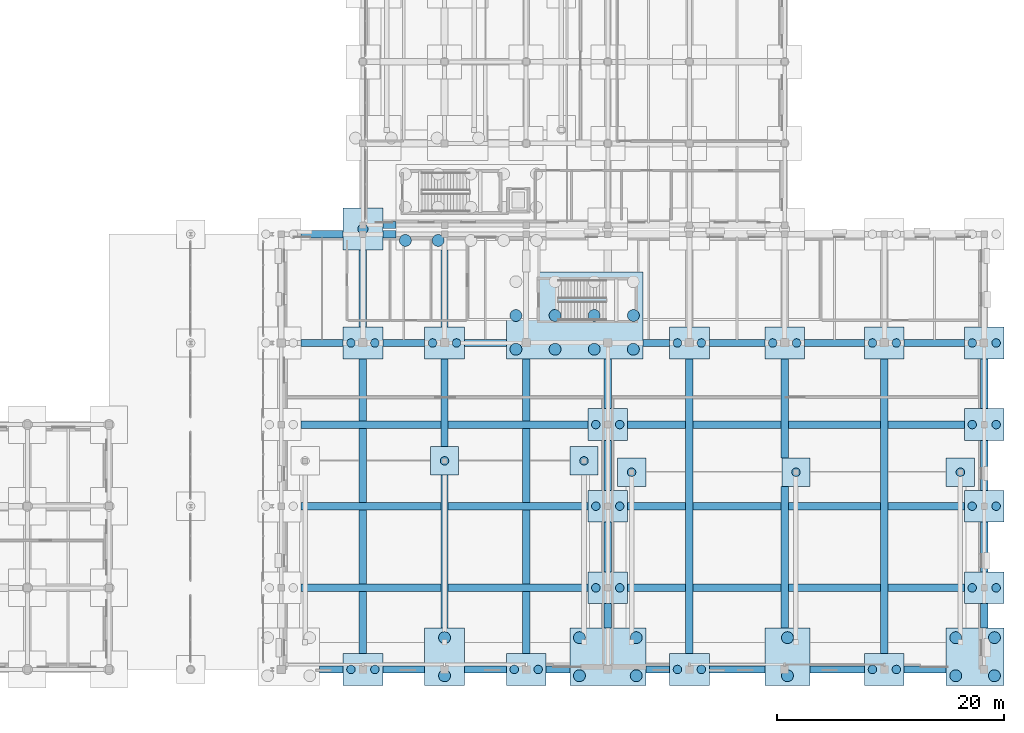
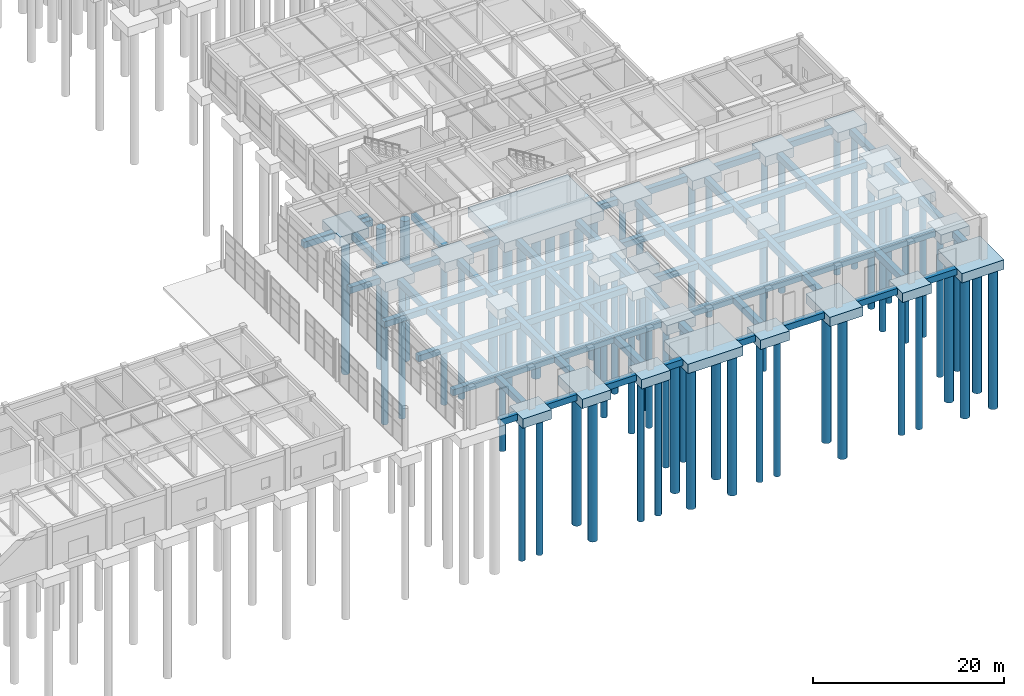
# One storey, part 5 of 91: 69 footings, 60 piles.
"""IFC4 building model written with IfcOpenShell, lengths in metres."""

from ifc_helpers import new_model, si_unit, direction, frame, origin, origin_2d, place, context, subcontext, project, spatial, rectangle, circle, extrude, material, material_profile, profile_set, type_object, element, save


model = new_model("IFC4")

# Units and contexts
model_context = context("Model", 3, precision=1e-05, world=origin(), true_north=direction((0.0, 1.0)))
body_context = subcontext(model_context, "Body", "Model", "MODEL_VIEW")
ifc_project = project(units=[si_unit("LENGTHUNIT", "METRE"), si_unit("AREAUNIT", "SQUARE_METRE"), si_unit("VOLUMEUNIT", "CUBIC_METRE"), si_unit("PLANEANGLEUNIT", "RADIAN"), si_unit("MASSUNIT", "GRAM", prefix="KILO")], contexts=[model_context])

# Site, building, storey
site_placement = place(None, origin())
site = spatial("IfcSite", under=ifc_project, at=site_placement, CompositionType="ELEMENT")
building_placement = place(site_placement, origin())
building = spatial("IfcBuilding", under=site, at=building_placement, Name="Bramveld Media Centre", CompositionType="ELEMENT")
storey_placement = place(building_placement, origin())
storey = spatial("IfcBuildingStorey", under=building, at=storey_placement, Name="L00", CompositionType="ELEMENT", Elevation=0.0)

# Footings
ifc_material_1 = material(Name="Concrete C35/45", Category="concrete")
footing_type_1 = type_object("IfcFootingType", Name="GB-600x800", PredefinedType="FOOTING_BEAM", material=ifc_material_1)
footing_1_placement = place(storey_placement, frame((133.52490234375, 39.199951171875, -0.7998046875), z_axis=(0.0, 0.0, 1.0), x_axis=(1.0, 0.0, 0.0)))
element("IfcFooting", 1, at=footing_1_placement, inside=storey, type_object=footing_type_1, Name="V4 ground beam X-160", PredefinedType="FOOTING_BEAM", context=body_context, shape_type="SweptSolid", body=[
    extrude(rectangle(XDim=1.14990234375, YDim=0.60009765625, at=origin_2d()), origin(), (0.0, 0.0, 1.0), 0.800048828125),
])
ifc_material_2 = material(Name="Concrete C35/45", Category="concrete")
footing_type_2 = type_object("IfcFootingType", Name="GB-650x800", PredefinedType="FOOTING_BEAM", material=ifc_material_2)
footing_2_placement = place(storey_placement, frame((128.39990234375, 0.0, -0.7998046875), z_axis=(0.0, 0.0, 1.0), x_axis=(1.0, 0.0, 0.0)))
element("IfcFooting", 2, at=footing_2_placement, inside=storey, type_object=footing_type_2, Name="V1 ground beam X-1", PredefinedType="FOOTING_BEAM", context=body_context, shape_type="SweptSolid", body=[
    extrude(rectangle(XDim=2.10009765625, YDim=0.64990234375, at=origin_2d()), origin(), (0.0, 0.0, 1.0), 0.800048828125),
])
for number, where, z_axis, x_axis, name in (
    (3, (134.800048828125, 0.0, -0.7998046875), (0.0, 0.0, 1.0), (1.0, 0.0, 0.0), "V1 ground beam X-2"),
    (4, (142.0, 0.0, -0.7998046875), (0.0, 0.0, 1.0), (1.0, 0.0, 0.0), "V1 ground beam X-3"),
):
    element("IfcFooting", number, at=place(storey_placement, frame(where, z_axis=z_axis, x_axis=x_axis)), inside=storey, type_object=footing_type_2, Name=name, PredefinedType="FOOTING_BEAM", context=body_context, shape_type="SweptSolid", body=[
        extrude(rectangle(XDim=3.699951171875, YDim=0.64990234375, at=origin_2d()), origin(), (0.0, 0.0, 1.0), 0.800048828125),
    ])
for number, where, z_axis, x_axis, name in (
    (5, (148.39990234375, 0.0, -0.7998046875), (0.0, 0.0, 1.0), (1.0, 0.0, 0.0), "V1 ground beam X-4"),
    (6, (157.199951171875, 0.0, -0.7998046875), (0.0, 0.0, 1.0), (1.0, 0.0, 0.0), "V1 ground beam X-5"),
):
    element("IfcFooting", number, at=place(storey_placement, frame(where, z_axis=z_axis, x_axis=x_axis)), inside=storey, type_object=footing_type_2, Name=name, PredefinedType="FOOTING_BEAM", context=body_context, shape_type="SweptSolid", body=[
        extrude(rectangle(XDim=2.10009765625, YDim=0.64990234375, at=origin_2d()), origin(), (0.0, 0.0, 1.0), 0.800048828125),
    ])
footing_3_placement = place(storey_placement, frame((164.199951171875, 0.0, -0.7998046875), z_axis=(0.0, 0.0, 1.0), x_axis=(1.0, 0.0, 0.0)))
element("IfcFooting", 7, at=footing_3_placement, inside=storey, type_object=footing_type_2, Name="V1 ground beam X-6", PredefinedType="FOOTING_BEAM", context=body_context, shape_type="SweptSolid", body=[
    extrude(rectangle(XDim=4.89990234375, YDim=0.64990234375, at=origin_2d()), origin(), (0.0, 0.0, 1.0), 0.800048828125),
])
footing_4_placement = place(storey_placement, frame((173.050048828125, 0.0, -0.7998046875), z_axis=(0.0, 0.0, 1.0), x_axis=(1.0, 0.0, 0.0)))
element("IfcFooting", 8, at=footing_4_placement, inside=storey, type_object=footing_type_2, Name="V1 ground beam X-7", PredefinedType="FOOTING_BEAM", context=body_context, shape_type="SweptSolid", body=[
    extrude(rectangle(XDim=4.800048828125, YDim=0.64990234375, at=origin_2d()), origin(), (0.0, 0.0, 1.0), 0.800048828125),
])
footing_5_placement = place(storey_placement, frame((180.800048828125, 0.0, -0.7998046875), z_axis=(0.0, 0.0, 1.0), x_axis=(1.0, 0.0, 0.0)))
element("IfcFooting", 9, at=footing_5_placement, inside=storey, type_object=footing_type_2, Name="V1 ground beam X-8", PredefinedType="FOOTING_BEAM", context=body_context, shape_type="SweptSolid", body=[
    extrude(rectangle(XDim=3.699951171875, YDim=0.64990234375, at=origin_2d()), origin(), (0.0, 0.0, 1.0), 0.800048828125),
])
footing_6_placement = place(storey_placement, frame((138.39990234375, 7.199951171875, -0.7998046875), z_axis=(0.0, 0.0, 1.0), x_axis=(1.0, 0.0, 0.0)))
element("IfcFooting", 10, at=footing_6_placement, inside=storey, type_object=footing_type_2, Name="V1 ground beam X-9", PredefinedType="FOOTING_BEAM", context=body_context, shape_type="SweptSolid", body=[
    extrude(rectangle(XDim=25.300048828125, YDim=0.64990234375, at=origin_2d()), origin(), (0.0, 0.0, 1.0), 0.800048828125),
])
footing_7_placement = place(storey_placement, frame((169.39990234375, 7.199951171875, -0.7998046875), z_axis=(0.0, 0.0, 1.0), x_axis=(1.0, 0.0, 0.0)))
element("IfcFooting", 11, at=footing_7_placement, inside=storey, type_object=footing_type_2, Name="V1 ground beam X-10", PredefinedType="FOOTING_BEAM", context=body_context, shape_type="SweptSolid", body=[
    extrude(rectangle(XDim=29.699951171875, YDim=0.64990234375, at=origin_2d()), origin(), (0.0, 0.0, 1.0), 0.800048828125),
])
footing_8_placement = place(storey_placement, frame((138.39990234375, 14.39990234375, -0.7998046875), z_axis=(0.0, 0.0, 1.0), x_axis=(1.0, 0.0, 0.0)))
element("IfcFooting", 12, at=footing_8_placement, inside=storey, type_object=footing_type_2, Name="V1 ground beam X-11", PredefinedType="FOOTING_BEAM", context=body_context, shape_type="SweptSolid", body=[
    extrude(rectangle(XDim=25.300048828125, YDim=0.64990234375, at=origin_2d()), origin(), (0.0, 0.0, 1.0), 0.800048828125),
])
footing_9_placement = place(storey_placement, frame((169.39990234375, 14.39990234375, -0.7998046875), z_axis=(0.0, 0.0, 1.0), x_axis=(1.0, 0.0, 0.0)))
element("IfcFooting", 13, at=footing_9_placement, inside=storey, type_object=footing_type_2, Name="V1 ground beam X-12", PredefinedType="FOOTING_BEAM", context=body_context, shape_type="SweptSolid", body=[
    extrude(rectangle(XDim=29.699951171875, YDim=0.64990234375, at=origin_2d()), origin(), (0.0, 0.0, 1.0), 0.800048828125),
])
footing_10_placement = place(storey_placement, frame((138.39990234375, 21.60009765625, -0.7998046875), z_axis=(0.0, 0.0, 1.0), x_axis=(1.0, 0.0, 0.0)))
element("IfcFooting", 14, at=footing_10_placement, inside=storey, type_object=footing_type_2, Name="V1 ground beam X-13", PredefinedType="FOOTING_BEAM", context=body_context, shape_type="SweptSolid", body=[
    extrude(rectangle(XDim=25.300048828125, YDim=0.64990234375, at=origin_2d()), origin(), (0.0, 0.0, 1.0), 0.800048828125),
])
footing_11_placement = place(storey_placement, frame((169.39990234375, 21.60009765625, -0.7998046875), z_axis=(0.0, 0.0, 1.0), x_axis=(1.0, 0.0, 0.0)))
element("IfcFooting", 15, at=footing_11_placement, inside=storey, type_object=footing_type_2, Name="V1 ground beam X-14", PredefinedType="FOOTING_BEAM", context=body_context, shape_type="SweptSolid", body=[
    extrude(rectangle(XDim=29.699951171875, YDim=0.64990234375, at=origin_2d()), origin(), (0.0, 0.0, 1.0), 0.800048828125),
])
for number, where, z_axis, x_axis, name in (
    (16, (127.60009765625, 28.800048828125, -0.7998046875), (0.0, 0.0, 1.0), (1.0, 0.0, 0.0), "V1 ground beam X-15"),
    (17, (134.800048828125, 28.800048828125, -0.7998046875), (0.0, 0.0, 1.0), (1.0, 0.0, 0.0), "V1 ground beam X-16"),
    (18, (142.0, 28.800048828125, -0.7998046875), (0.0, 0.0, 1.0), (1.0, 0.0, 0.0), "V1 ground beam X-17"),
):
    element("IfcFooting", number, at=place(storey_placement, frame(where, z_axis=z_axis, x_axis=x_axis)), inside=storey, type_object=footing_type_2, Name=name, PredefinedType="FOOTING_BEAM", context=body_context, shape_type="SweptSolid", body=[
        extrude(rectangle(XDim=3.699951171875, YDim=0.64990234375, at=origin_2d()), origin(), (0.0, 0.0, 1.0), 0.800048828125),
    ])
footing_12_placement = place(storey_placement, frame((157.074951171875, 28.800048828125, -0.7998046875), z_axis=(0.0, 0.0, 1.0), x_axis=(1.0, 0.0, 0.0)))
element("IfcFooting", 19, at=footing_12_placement, inside=storey, type_object=footing_type_2, Name="V1 ground beam X-18", PredefinedType="FOOTING_BEAM", context=body_context, shape_type="SweptSolid", body=[
    extrude(rectangle(XDim=2.35009765625, YDim=0.64990234375, at=origin_2d()), origin(), (0.0, 0.0, 1.0), 0.800048828125),
])
footing_13_placement = place(storey_placement, frame((164.199951171875, 28.800048828125, -0.7998046875), z_axis=(0.0, 0.0, 1.0), x_axis=(1.0, 0.0, 0.0)))
element("IfcFooting", 20, at=footing_13_placement, inside=storey, type_object=footing_type_2, Name="V1 ground beam X-19", PredefinedType="FOOTING_BEAM", context=body_context, shape_type="SweptSolid", body=[
    extrude(rectangle(XDim=4.89990234375, YDim=0.64990234375, at=origin_2d()), origin(), (0.0, 0.0, 1.0), 0.800048828125),
])
for number, where, z_axis, x_axis, name in (
    (21, (172.800048828125, 28.800048828125, -0.7998046875), (0.0, 0.0, 1.0), (1.0, 0.0, 0.0), "V1 ground beam X-20"),
    (22, (181.60009765625, 28.800048828125, -0.7998046875), (0.0, 0.0, 1.0), (1.0, 0.0, 0.0), "V1 ground beam X-21"),
):
    element("IfcFooting", number, at=place(storey_placement, frame(where, z_axis=z_axis, x_axis=x_axis)), inside=storey, type_object=footing_type_2, Name=name, PredefinedType="FOOTING_BEAM", context=body_context, shape_type="SweptSolid", body=[
        extrude(rectangle(XDim=5.300048828125, YDim=0.64990234375, at=origin_2d()), origin(), (0.0, 0.0, 1.0), 0.800048828125),
    ])
footing_14_placement = place(storey_placement, frame((127.60009765625, 38.39990234375, -0.7998046875), z_axis=(0.0, 0.0, 1.0), x_axis=(1.0, 0.0, 0.0)))
element("IfcFooting", 23, at=footing_14_placement, inside=storey, type_object=footing_type_2, Name="V1 ground beam X-22", PredefinedType="FOOTING_BEAM", context=body_context, shape_type="SweptSolid", body=[
    extrude(rectangle(XDim=3.699951171875, YDim=0.64990234375, at=origin_2d()), origin(), (0.0, 0.0, 1.0), 0.800048828125),
])
footing_15_placement = place(storey_placement, frame((133.52490234375, 38.39990234375, -0.7998046875), z_axis=(0.0, 0.0, 1.0), x_axis=(1.0, 0.0, 0.0)))
element("IfcFooting", 24, at=footing_15_placement, inside=storey, type_object=footing_type_2, Name="V1 ground beam X-23", PredefinedType="FOOTING_BEAM", context=body_context, shape_type="SweptSolid", body=[
    extrude(rectangle(XDim=1.14990234375, YDim=0.64990234375, at=origin_2d()), origin(), (0.0, 0.0, 1.0), 0.800048828125),
])
footing_16_placement = place(storey_placement, frame((131.199951171875, 14.39990234375, -0.7998046875), z_axis=(0.0, 0.0, 1.0), x_axis=(1.0, 0.0, 0.0)))
element("IfcFooting", 25, at=footing_16_placement, inside=storey, type_object=footing_type_2, Name="V1 ground beam Y-34", PredefinedType="FOOTING_BEAM", context=body_context, shape_type="SweptSolid", body=[
    extrude(rectangle(XDim=0.64990234375, YDim=26.0, at=origin_2d()), origin(), (0.0, 0.0, 1.0), 0.800048828125),
])
footing_17_placement = place(storey_placement, frame((131.199951171875, 33.60009765625, -0.7998046875), z_axis=(0.0, 0.0, 1.0), x_axis=(1.0, 0.0, 0.0)))
element("IfcFooting", 26, at=footing_17_placement, inside=storey, type_object=footing_type_2, Name="V1 ground beam Y-35", PredefinedType="FOOTING_BEAM", context=body_context, shape_type="SweptSolid", body=[
    extrude(rectangle(XDim=0.64990234375, YDim=6.800048828125, at=origin_2d()), origin(), (0.0, 0.0, 1.0), 0.800048828125),
])
footing_18_placement = place(storey_placement, frame((138.39990234375, 10.39990234375, -0.7998046875), z_axis=(0.0, 0.0, 1.0), x_axis=(1.0, 0.0, 0.0)))
element("IfcFooting", 27, at=footing_18_placement, inside=storey, type_object=footing_type_2, Name="V1 ground beam Y-36", PredefinedType="FOOTING_BEAM", context=body_context, shape_type="SweptSolid", body=[
    extrude(rectangle(XDim=0.64990234375, YDim=13.5, at=origin_2d()), origin(), (0.0, 0.0, 1.0), 0.800048828125),
])
footing_19_placement = place(storey_placement, frame((138.39990234375, 23.52490234375, -0.7998046875), z_axis=(0.0, 0.0, 1.0), x_axis=(1.0, 0.0, 0.0)))
element("IfcFooting", 28, at=footing_19_placement, inside=storey, type_object=footing_type_2, Name="V1 ground beam Y-37", PredefinedType="FOOTING_BEAM", context=body_context, shape_type="SweptSolid", body=[
    extrude(rectangle(XDim=0.64990234375, YDim=7.75, at=origin_2d()), origin(), (0.0, 0.0, 1.0), 0.800048828125),
])
footing_20_placement = place(storey_placement, frame((138.39990234375, 33.60009765625, -0.7998046875), z_axis=(0.0, 0.0, 1.0), x_axis=(1.0, 0.0, 0.0)))
element("IfcFooting", 29, at=footing_20_placement, inside=storey, type_object=footing_type_2, Name="V1 ground beam Y-38", PredefinedType="FOOTING_BEAM", context=body_context, shape_type="SweptSolid", body=[
    extrude(rectangle(XDim=0.64990234375, YDim=6.800048828125, at=origin_2d()), origin(), (0.0, 0.0, 1.0), 0.800048828125),
])
footing_21_placement = place(storey_placement, frame((145.60009765625, 14.39990234375, -0.7998046875), z_axis=(0.0, 0.0, 1.0), x_axis=(1.0, 0.0, 0.0)))
element("IfcFooting", 30, at=footing_21_placement, inside=storey, type_object=footing_type_2, Name="V1 ground beam Y-39", PredefinedType="FOOTING_BEAM", context=body_context, shape_type="SweptSolid", body=[
    extrude(rectangle(XDim=0.64990234375, YDim=26.0, at=origin_2d()), origin(), (0.0, 0.0, 1.0), 0.800048828125),
])
footing_22_placement = place(storey_placement, frame((152.800048828125, 4.72509765625, -0.7998046875), z_axis=(0.0, 0.0, 1.0), x_axis=(1.0, 0.0, 0.0)))
element("IfcFooting", 31, at=footing_22_placement, inside=storey, type_object=footing_type_2, Name="V1 ground beam Y-41", PredefinedType="FOOTING_BEAM", context=body_context, shape_type="SweptSolid", body=[
    extrude(rectangle(XDim=0.64990234375, YDim=2.14990234375, at=origin_2d()), origin(), (0.0, 0.0, 1.0), 0.800048828125),
])
for number, where, z_axis, x_axis, name in (
    (32, (152.800048828125, 10.800048828125, -0.7998046875), (0.0, 0.0, 1.0), (1.0, 0.0, 0.0), "V1 ground beam Y-42"),
    (33, (152.800048828125, 18.0, -0.7998046875), (0.0, 0.0, 1.0), (1.0, 0.0, 0.0), "V1 ground beam Y-43"),
    (34, (152.800048828125, 25.199951171875, -0.7998046875), (0.0, 0.0, 1.0), (1.0, 0.0, 0.0), "V1 ground beam Y-44"),
):
    element("IfcFooting", number, at=place(storey_placement, frame(where, z_axis=z_axis, x_axis=x_axis)), inside=storey, type_object=footing_type_2, Name=name, PredefinedType="FOOTING_BEAM", context=body_context, shape_type="SweptSolid", body=[
        extrude(rectangle(XDim=0.64990234375, YDim=4.39990234375, at=origin_2d()), origin(), (0.0, 0.0, 1.0), 0.800048828125),
    ])
footing_23_placement = place(storey_placement, frame((160.0, 14.39990234375, -0.7998046875), z_axis=(0.0, 0.0, 1.0), x_axis=(1.0, 0.0, 0.0)))
element("IfcFooting", 35, at=footing_23_placement, inside=storey, type_object=footing_type_2, Name="V1 ground beam Y-46", PredefinedType="FOOTING_BEAM", context=body_context, shape_type="SweptSolid", body=[
    extrude(rectangle(XDim=0.64990234375, YDim=26.0, at=origin_2d()), origin(), (0.0, 0.0, 1.0), 0.800048828125),
])
footing_24_placement = place(storey_placement, frame((168.39990234375, 9.89990234375, -0.7998046875), z_axis=(0.0, 0.0, 1.0), x_axis=(1.0, 0.0, 0.0)))
element("IfcFooting", 36, at=footing_24_placement, inside=storey, type_object=footing_type_2, Name="V1 ground beam Y-48", PredefinedType="FOOTING_BEAM", context=body_context, shape_type="SweptSolid", body=[
    extrude(rectangle(XDim=0.64990234375, YDim=12.5, at=origin_2d()), origin(), (0.0, 0.0, 1.0), 0.800048828125),
])
footing_25_placement = place(storey_placement, frame((168.39990234375, 23.02490234375, -0.7998046875), z_axis=(0.0, 0.0, 1.0), x_axis=(1.0, 0.0, 0.0)))
element("IfcFooting", 37, at=footing_25_placement, inside=storey, type_object=footing_type_2, Name="V1 ground beam Y-49", PredefinedType="FOOTING_BEAM", context=body_context, shape_type="SweptSolid", body=[
    extrude(rectangle(XDim=0.64990234375, YDim=8.75, at=origin_2d()), origin(), (0.0, 0.0, 1.0), 0.800048828125),
])
footing_26_placement = place(storey_placement, frame((177.199951171875, 14.39990234375, -0.7998046875), z_axis=(0.0, 0.0, 1.0), x_axis=(1.0, 0.0, 0.0)))
element("IfcFooting", 38, at=footing_26_placement, inside=storey, type_object=footing_type_2, Name="V1 ground beam Y-51", PredefinedType="FOOTING_BEAM", context=body_context, shape_type="SweptSolid", body=[
    extrude(rectangle(XDim=0.64990234375, YDim=26.0, at=origin_2d()), origin(), (0.0, 0.0, 1.0), 0.800048828125),
])
footing_27_placement = place(storey_placement, frame((186.0, 4.72509765625, -0.7998046875), z_axis=(0.0, 0.0, 1.0), x_axis=(1.0, 0.0, 0.0)))
element("IfcFooting", 39, at=footing_27_placement, inside=storey, type_object=footing_type_2, Name="V1 ground beam Y-53", PredefinedType="FOOTING_BEAM", context=body_context, shape_type="SweptSolid", body=[
    extrude(rectangle(XDim=0.64990234375, YDim=2.14990234375, at=origin_2d()), origin(), (0.0, 0.0, 1.0), 0.800048828125),
])
for number, where, z_axis, x_axis, name in (
    (40, (186.0, 10.800048828125, -0.7998046875), (0.0, 0.0, 1.0), (1.0, 0.0, 0.0), "V1 ground beam Y-54"),
    (41, (186.0, 18.0, -0.7998046875), (0.0, 0.0, 1.0), (1.0, 0.0, 0.0), "V1 ground beam Y-55"),
    (42, (186.0, 25.199951171875, -0.7998046875), (0.0, 0.0, 1.0), (1.0, 0.0, 0.0), "V1 ground beam Y-56"),
):
    element("IfcFooting", number, at=place(storey_placement, frame(where, z_axis=z_axis, x_axis=x_axis)), inside=storey, type_object=footing_type_2, Name=name, PredefinedType="FOOTING_BEAM", context=body_context, shape_type="SweptSolid", body=[
        extrude(rectangle(XDim=0.64990234375, YDim=4.39990234375, at=origin_2d()), origin(), (0.0, 0.0, 1.0), 0.800048828125),
    ])
ifc_material_3 = material(Name="Concrete C35/45", Category="concrete")
footing_type_3 = type_object("IfcFootingType", Name="PC-1205x765x1200", PredefinedType="PILE_CAP", material=ifc_material_3)
footing_28_placement = place(storey_placement, frame((149.875, 31.22509765625, -1.2001953125), z_axis=(0.0, 0.0, 1.0), x_axis=(1.0, 0.0, 0.0)))
element("IfcFooting", 43, at=footing_28_placement, inside=storey, type_object=footing_type_3, Name="Reinforced concrete pile cap 172", PredefinedType="PILE_CAP", context=body_context, shape_type="SweptSolid", body=[
    extrude(rectangle(XDim=12.050048828125, YDim=7.64990234375, at=origin_2d()), origin(), (0.0, 0.0, 1.0), 1.199951171875),
])
ifc_material_4 = material(Name="Concrete C35/45", Category="concrete")
footing_type_4 = type_object("IfcFootingType", Name="PC-250x250x1200", PredefinedType="PILE_CAP", material=ifc_material_4)
for number, where, z_axis, x_axis, name in (
    (44, (138.39990234375, 18.39990234375, -1.2001953125), (0.0, 0.0, 1.0), (1.0, 0.0, 0.0), "Reinforced concrete pile cap 168"),
    (45, (150.699951171875, 18.39990234375, -1.2001953125), (0.0, 0.0, 1.0), (1.0, 0.0, 0.0), "Reinforced concrete pile cap 180"),
    (46, (154.89990234375, 17.39990234375, -1.2001953125), (0.0, 0.0, 1.0), (1.0, 0.0, 0.0), "Reinforced concrete pile cap 190"),
    (47, (169.39990234375, 17.39990234375, -1.2001953125), (0.0, 0.0, 1.0), (1.0, 0.0, 0.0), "Reinforced concrete pile cap 210"),
    (48, (183.89990234375, 17.39990234375, -1.2001953125), (0.0, 0.0, 1.0), (1.0, 0.0, 0.0), "Reinforced concrete pile cap 215"),
):
    element("IfcFooting", number, at=place(storey_placement, frame(where, z_axis=z_axis, x_axis=x_axis)), inside=storey, type_object=footing_type_4, Name=name, PredefinedType="PILE_CAP", context=body_context, shape_type="SweptSolid", body=[
        extrude(rectangle(XDim=2.5, YDim=2.5, at=origin_2d()), origin(), (0.0, 0.0, 1.0), 1.199951171875),
    ])
ifc_material_5 = material(Name="Concrete C35/45", Category="concrete")
footing_type_5 = type_object("IfcFootingType", Name="PC-350x280x1200", PredefinedType="PILE_CAP", material=ifc_material_5)
for number, where, z_axis, x_axis, name in (
    (49, (131.199951171875, 0.0, -1.2001953125), (0.0, 0.0, 1.0), (1.0, 0.0, 0.0), "Reinforced concrete pile cap 150"),
    (50, (131.199951171875, 28.800048828125, -1.2001953125), (0.0, 0.0, 1.0), (1.0, 0.0, 0.0), "Reinforced concrete pile cap 151"),
    (51, (138.39990234375, 28.800048828125, -1.2001953125), (0.0, 0.0, 1.0), (1.0, 0.0, 0.0), "Reinforced concrete pile cap 163"),
    (52, (145.60009765625, 0.0, -1.2001953125), (0.0, 0.0, 1.0), (1.0, 0.0, 0.0), "Reinforced concrete pile cap 171"),
    (53, (152.800048828125, 7.199951171875, -1.2001953125), (0.0, 0.0, 1.0), (1.0, 0.0, 0.0), "Reinforced concrete pile cap 182"),
    (54, (152.800048828125, 14.39990234375, -1.2001953125), (0.0, 0.0, 1.0), (1.0, 0.0, 0.0), "Reinforced concrete pile cap 183"),
    (55, (152.800048828125, 21.60009765625, -1.2001953125), (0.0, 0.0, 1.0), (1.0, 0.0, 0.0), "Reinforced concrete pile cap 184"),
    (56, (160.0, 0.0, -1.2001953125), (0.0, 0.0, 1.0), (1.0, 0.0, 0.0), "Reinforced concrete pile cap 196"),
    (57, (160.0, 28.800048828125, -1.2001953125), (0.0, 0.0, 1.0), (1.0, 0.0, 0.0), "Reinforced concrete pile cap 197"),
    (58, (168.39990234375, 28.800048828125, -1.2001953125), (0.0, 0.0, 1.0), (1.0, 0.0, 0.0), "Reinforced concrete pile cap 204"),
    (59, (177.199951171875, 0.0, -1.2001953125), (0.0, 0.0, 1.0), (1.0, 0.0, 0.0), "Reinforced concrete pile cap 211"),
    (60, (177.199951171875, 28.800048828125, -1.2001953125), (0.0, 0.0, 1.0), (1.0, 0.0, 0.0), "Reinforced concrete pile cap 212"),
    (61, (186.0, 7.199951171875, -1.2001953125), (0.0, 0.0, 1.0), (1.0, 0.0, 0.0), "Reinforced concrete pile cap 216"),
    (62, (186.0, 14.39990234375, -1.2001953125), (0.0, 0.0, 1.0), (1.0, 0.0, 0.0), "Reinforced concrete pile cap 217"),
    (63, (186.0, 21.60009765625, -1.2001953125), (0.0, 0.0, 1.0), (1.0, 0.0, 0.0), "Reinforced concrete pile cap 218"),
    (64, (186.0, 28.800048828125, -1.2001953125), (0.0, 0.0, 1.0), (1.0, 0.0, 0.0), "Reinforced concrete pile cap 219"),
):
    element("IfcFooting", number, at=place(storey_placement, frame(where, z_axis=z_axis, x_axis=x_axis)), inside=storey, type_object=footing_type_5, Name=name, PredefinedType="PILE_CAP", context=body_context, shape_type="SweptSolid", body=[
        extrude(rectangle(XDim=3.5, YDim=2.800048828125, at=origin_2d()), origin(), (0.0, 0.0, 1.0), 1.199951171875),
    ])
ifc_material_6 = material(Name="Concrete C35/45", Category="concrete")
footing_type_6 = type_object("IfcFootingType", Name="PC-350x370x1200", PredefinedType="PILE_CAP", material=ifc_material_6)
footing_29_placement = place(storey_placement, frame((131.199951171875, 38.85009765625, -1.2001953125), z_axis=(0.0, 0.0, 1.0), x_axis=(1.0, 0.0, 0.0)))
element("IfcFooting", 65, at=footing_29_placement, inside=storey, type_object=footing_type_6, Name="Reinforced concrete pile cap 152", PredefinedType="PILE_CAP", context=body_context, shape_type="SweptSolid", body=[
    extrude(rectangle(XDim=3.5, YDim=3.699951171875, at=origin_2d()), origin(), (0.0, 0.0, 1.0), 1.199951171875),
])
ifc_material_7 = material(Name="Concrete C35/45", Category="concrete")
footing_type_7 = type_object("IfcFootingType", Name="PC-350x505x1200", PredefinedType="PILE_CAP", material=ifc_material_7)
footing_30_placement = place(storey_placement, frame((138.39990234375, 1.125, -1.2001953125), z_axis=(0.0, 0.0, 1.0), x_axis=(1.0, 0.0, 0.0)))
element("IfcFooting", 66, at=footing_30_placement, inside=storey, type_object=footing_type_7, Name="Reinforced concrete pile cap 162", PredefinedType="PILE_CAP", context=body_context, shape_type="SweptSolid", body=[
    extrude(rectangle(XDim=3.5, YDim=5.050048828125, at=origin_2d()), origin(), (0.0, 0.0, 1.0), 1.199951171875),
])
ifc_material_8 = material(Name="Concrete C35/45", Category="concrete")
footing_type_8 = type_object("IfcFootingType", Name="PC-400x505x1200", PredefinedType="PILE_CAP", material=ifc_material_8)
footing_31_placement = place(storey_placement, frame((168.64990234375, 1.125, -1.2001953125), z_axis=(0.0, 0.0, 1.0), x_axis=(1.0, 0.0, 0.0)))
element("IfcFooting", 67, at=footing_31_placement, inside=storey, type_object=footing_type_8, Name="Reinforced concrete pile cap 203", PredefinedType="PILE_CAP", context=body_context, shape_type="SweptSolid", body=[
    extrude(rectangle(XDim=4.0, YDim=5.050048828125, at=origin_2d()), origin(), (0.0, 0.0, 1.0), 1.199951171875),
])
ifc_material_9 = material(Name="Concrete C35/45", Category="concrete")
footing_type_9 = type_object("IfcFootingType", Name="PC-510x505x1200", PredefinedType="PILE_CAP", material=ifc_material_9)
footing_32_placement = place(storey_placement, frame((185.199951171875, 1.125, -1.2001953125), z_axis=(0.0, 0.0, 1.0), x_axis=(1.0, 0.0, 0.0)))
element("IfcFooting", 68, at=footing_32_placement, inside=storey, type_object=footing_type_9, Name="Reinforced concrete pile cap 214", PredefinedType="PILE_CAP", context=body_context, shape_type="SweptSolid", body=[
    extrude(rectangle(XDim=5.10009765625, YDim=5.050048828125, at=origin_2d()), origin(), (0.0, 0.0, 1.0), 1.199951171875),
])
ifc_material_10 = material(Name="Concrete C35/45", Category="concrete")
footing_type_10 = type_object("IfcFootingType", Name="PC-670x505x1200", PredefinedType="PILE_CAP", material=ifc_material_10)
footing_33_placement = place(storey_placement, frame((152.800048828125, 1.125, -1.2001953125), z_axis=(0.0, 0.0, 1.0), x_axis=(1.0, 0.0, 0.0)))
element("IfcFooting", 69, at=footing_33_placement, inside=storey, type_object=footing_type_10, Name="Reinforced concrete pile cap 179", PredefinedType="PILE_CAP", context=body_context, shape_type="SweptSolid", body=[
    extrude(rectangle(XDim=6.699951171875, YDim=5.050048828125, at=origin_2d()), origin(), (0.0, 0.0, 1.0), 1.199951171875),
])

# Piles
ifc_material_11 = material(Name="Concrete C35/45", Category="concrete")
ifc_material_profile_1 = material_profile(ifc_material_11, circle(Radius=0.52490234375, at=origin_2d()), Name="BORED D1050")
ifc_profile_set_1 = profile_set([ifc_material_profile_1], Name="Concrete C35/45")
pile_type_1 = type_object("IfcPileType", Name="PILE-BORED-D1050", PredefinedType="BORED", material=ifc_profile_set_1)
for number, where, z_axis, x_axis, name in (
    (70, (134.945068359375, 37.844970703125, -1.050048828125), (0.0, 0.0, -1.0), (1.0, 0.0, 0.0), "Bored pile 270"),
    (71, (137.8349609375, 37.844970703125, -1.050048828125), (0.0, 0.0, -1.0), (1.0, 0.0, 0.0), "Bored pile 273"),
    (72, (138.39990234375, -0.554931640625, -1.050048828125), (0.0, 0.0, -1.0), (1.0, 0.0, 0.0), "Bored pile 320"),
    (73, (138.39990234375, 2.804931640625, -1.050048828125), (0.0, 0.0, -1.0), (1.0, 0.0, 0.0), "Bored pile 321"),
    (74, (144.695068359375, 28.2451171875, -1.050048828125), (0.0, 0.0, -1.0), (1.0, 0.0, 0.0), "Bored pile 350"),
    (75, (144.695068359375, 31.22509765625, -1.050048828125), (0.0, 0.0, -1.0), (1.0, 0.0, 0.0), "Bored pile 351"),
    (76, (148.148193359375, 28.2451171875, -1.050048828125), (0.0, 0.0, -1.0), (1.0, 0.0, 0.0), "Bored pile 353"),
    (77, (148.148193359375, 31.22509765625, -1.050048828125), (0.0, 0.0, -1.0), (1.0, 0.0, 0.0), "Bored pile 354"),
    (78, (151.601806640625, 28.2451171875, -1.050048828125), (0.0, 0.0, -1.0), (1.0, 0.0, 0.0), "Bored pile 356"),
    (79, (151.601806640625, 31.22509765625, -1.050048828125), (0.0, 0.0, -1.0), (1.0, 0.0, 0.0), "Bored pile 357"),
    (80, (155.054931640625, 28.2451171875, -1.050048828125), (0.0, 0.0, -1.0), (1.0, 0.0, 0.0), "Bored pile 359"),
    (81, (155.054931640625, 31.22509765625, -1.050048828125), (0.0, 0.0, -1.0), (1.0, 0.0, 0.0), "Bored pile 360"),
    (82, (150.294921875, -0.554931640625, -1.050048828125), (0.0, 0.0, -1.0), (1.0, 0.0, 0.0), "Bored pile 368"),
    (83, (150.294921875, 2.804931640625, -1.050048828125), (0.0, 0.0, -1.0), (1.0, 0.0, 0.0), "Bored pile 369"),
    (84, (155.304931640625, -0.554931640625, -1.050048828125), (0.0, 0.0, -1.0), (1.0, 0.0, 0.0), "Bored pile 370"),
    (85, (155.304931640625, 2.804931640625, -1.050048828125), (0.0, 0.0, -1.0), (1.0, 0.0, 0.0), "Bored pile 371"),
    (86, (168.64990234375, -0.554931640625, -1.050048828125), (0.0, 0.0, -1.0), (1.0, 0.0, 0.0), "Bored pile 400"),
    (87, (168.64990234375, 2.804931640625, -1.050048828125), (0.0, 0.0, -1.0), (1.0, 0.0, 0.0), "Bored pile 401"),
    (88, (183.4951171875, -0.554931640625, -1.050048828125), (0.0, 0.0, -1.0), (1.0, 0.0, 0.0), "Bored pile 416"),
    (89, (183.4951171875, 2.804931640625, -1.050048828125), (0.0, 0.0, -1.0), (1.0, 0.0, 0.0), "Bored pile 417"),
    (90, (186.905029296875, -0.554931640625, -1.050048828125), (0.0, 0.0, -1.0), (1.0, 0.0, 0.0), "Bored pile 418"),
    (91, (186.905029296875, 2.804931640625, -1.050048828125), (0.0, 0.0, -1.0), (1.0, 0.0, 0.0), "Bored pile 419"),
):
    element("IfcPile", number, at=place(storey_placement, frame(where, z_axis=z_axis, x_axis=x_axis)), inside=storey, type_object=pile_type_1, Name=name, PredefinedType="BORED", context=body_context, shape_type="SweptSolid", body=[
        extrude(circle(Radius=0.52490234375, at=origin_2d()), origin(), (0.0, 0.0, 1.0), 18.0),
    ])
ifc_material_12 = material(Name="Concrete C35/45", Category="concrete")
ifc_material_profile_2 = material_profile(ifc_material_12, circle(Radius=0.375, at=origin_2d()), Name="BORED D750")
ifc_profile_set_2 = profile_set([ifc_material_profile_2], Name="Concrete C35/45")
pile_type_2 = type_object("IfcPileType", Name="PILE-BORED-D750", PredefinedType="BORED", material=ifc_profile_set_2)
for number, where, z_axis, x_axis, name in (
    (92, (130.14501953125, 0.0, -1.050048828125), (0.0, 0.0, -1.0), (1.0, 0.0, 0.0), "Bored pile 259"),
    (93, (132.2548828125, 0.0, -1.050048828125), (0.0, 0.0, -1.0), (1.0, 0.0, 0.0), "Bored pile 260"),
    (94, (130.14501953125, 28.800048828125, -1.050048828125), (0.0, 0.0, -1.0), (1.0, 0.0, 0.0), "Bored pile 261"),
    (95, (132.2548828125, 28.800048828125, -1.050048828125), (0.0, 0.0, -1.0), (1.0, 0.0, 0.0), "Bored pile 262"),
    (96, (137.344970703125, 28.800048828125, -1.050048828125), (0.0, 0.0, -1.0), (1.0, 0.0, 0.0), "Bored pile 322"),
    (97, (139.455078125, 28.800048828125, -1.050048828125), (0.0, 0.0, -1.0), (1.0, 0.0, 0.0), "Bored pile 323"),
    (98, (138.39990234375, 18.39990234375, -1.050048828125), (0.0, 0.0, -1.0), (1.0, 0.0, 0.0), "Bored pile 330"),
    (99, (144.544921875, 0.0, -1.050048828125), (0.0, 0.0, -1.0), (1.0, 0.0, 0.0), "Bored pile 348"),
    (100, (146.655029296875, 0.0, -1.050048828125), (0.0, 0.0, -1.0), (1.0, 0.0, 0.0), "Bored pile 349"),
    (101, (150.699951171875, 18.39990234375, -1.050048828125), (0.0, 0.0, -1.0), (1.0, 0.0, 0.0), "Bored pile 372"),
    (102, (151.7451171875, 7.199951171875, -1.050048828125), (0.0, 0.0, -1.0), (1.0, 0.0, 0.0), "Bored pile 374"),
    (103, (153.85498046875, 7.199951171875, -1.050048828125), (0.0, 0.0, -1.0), (1.0, 0.0, 0.0), "Bored pile 375"),
    (104, (151.7451171875, 14.39990234375, -1.050048828125), (0.0, 0.0, -1.0), (1.0, 0.0, 0.0), "Bored pile 376"),
    (105, (153.85498046875, 14.39990234375, -1.050048828125), (0.0, 0.0, -1.0), (1.0, 0.0, 0.0), "Bored pile 377"),
    (106, (151.7451171875, 21.60009765625, -1.050048828125), (0.0, 0.0, -1.0), (1.0, 0.0, 0.0), "Bored pile 378"),
    (107, (153.85498046875, 21.60009765625, -1.050048828125), (0.0, 0.0, -1.0), (1.0, 0.0, 0.0), "Bored pile 379"),
    (108, (154.89990234375, 17.39990234375, -1.050048828125), (0.0, 0.0, -1.0), (1.0, 0.0, 0.0), "Bored pile 385"),
    (109, (158.945068359375, 0.0, -1.050048828125), (0.0, 0.0, -1.0), (1.0, 0.0, 0.0), "Bored pile 391"),
    (110, (161.054931640625, 0.0, -1.050048828125), (0.0, 0.0, -1.0), (1.0, 0.0, 0.0), "Bored pile 392"),
    (111, (158.945068359375, 28.800048828125, -1.050048828125), (0.0, 0.0, -1.0), (1.0, 0.0, 0.0), "Bored pile 393"),
    (112, (161.054931640625, 28.800048828125, -1.050048828125), (0.0, 0.0, -1.0), (1.0, 0.0, 0.0), "Bored pile 394"),
    (113, (167.344970703125, 28.800048828125, -1.050048828125), (0.0, 0.0, -1.0), (1.0, 0.0, 0.0), "Bored pile 402"),
    (114, (169.455078125, 28.800048828125, -1.050048828125), (0.0, 0.0, -1.0), (1.0, 0.0, 0.0), "Bored pile 403"),
    (115, (169.39990234375, 17.39990234375, -1.050048828125), (0.0, 0.0, -1.0), (1.0, 0.0, 0.0), "Bored pile 409"),
    (116, (176.14501953125, 0.0, -1.050048828125), (0.0, 0.0, -1.0), (1.0, 0.0, 0.0), "Bored pile 410"),
    (117, (178.2548828125, 0.0, -1.050048828125), (0.0, 0.0, -1.0), (1.0, 0.0, 0.0), "Bored pile 411"),
    (118, (176.14501953125, 28.800048828125, -1.050048828125), (0.0, 0.0, -1.0), (1.0, 0.0, 0.0), "Bored pile 412"),
    (119, (178.2548828125, 28.800048828125, -1.050048828125), (0.0, 0.0, -1.0), (1.0, 0.0, 0.0), "Bored pile 413"),
    (120, (183.89990234375, 17.39990234375, -1.050048828125), (0.0, 0.0, -1.0), (1.0, 0.0, 0.0), "Bored pile 420"),
    (121, (184.945068359375, 7.199951171875, -1.050048828125), (0.0, 0.0, -1.0), (1.0, 0.0, 0.0), "Bored pile 421"),
    (122, (187.054931640625, 7.199951171875, -1.050048828125), (0.0, 0.0, -1.0), (1.0, 0.0, 0.0), "Bored pile 422"),
    (123, (184.945068359375, 14.39990234375, -1.050048828125), (0.0, 0.0, -1.0), (1.0, 0.0, 0.0), "Bored pile 423"),
    (124, (187.054931640625, 14.39990234375, -1.050048828125), (0.0, 0.0, -1.0), (1.0, 0.0, 0.0), "Bored pile 424"),
    (125, (184.945068359375, 21.60009765625, -1.050048828125), (0.0, 0.0, -1.0), (1.0, 0.0, 0.0), "Bored pile 425"),
    (126, (187.054931640625, 21.60009765625, -1.050048828125), (0.0, 0.0, -1.0), (1.0, 0.0, 0.0), "Bored pile 426"),
    (127, (184.945068359375, 28.800048828125, -1.050048828125), (0.0, 0.0, -1.0), (1.0, 0.0, 0.0), "Bored pile 427"),
    (128, (187.054931640625, 28.800048828125, -1.050048828125), (0.0, 0.0, -1.0), (1.0, 0.0, 0.0), "Bored pile 428"),
):
    element("IfcPile", number, at=place(storey_placement, frame(where, z_axis=z_axis, x_axis=x_axis)), inside=storey, type_object=pile_type_2, Name=name, PredefinedType="BORED", context=body_context, shape_type="SweptSolid", body=[
        extrude(circle(Radius=0.375, at=origin_2d()), origin(), (0.0, 0.0, 1.0), 18.0),
    ])
ifc_material_13 = material(Name="Concrete C35/45", Category="concrete")
ifc_material_profile_3 = material_profile(ifc_material_13, circle(Radius=0.449951171875, at=origin_2d()), Name="BORED D900")
ifc_profile_set_3 = profile_set([ifc_material_profile_3], Name="Concrete C35/45")
pile_type_3 = type_object("IfcPileType", Name="PILE-BORED-D900", PredefinedType="BORED", material=ifc_profile_set_3)
pile_placement = place(storey_placement, frame((131.199951171875, 38.85009765625, -1.050048828125), z_axis=(0.0, 0.0, -1.0), x_axis=(1.0, 0.0, 0.0)))
element("IfcPile", 129, at=pile_placement, inside=storey, type_object=pile_type_3, Name="Bored pile 263", PredefinedType="BORED", context=body_context, shape_type="SweptSolid", body=[
    extrude(circle(Radius=0.449951171875, at=origin_2d()), origin(), (0.0, 0.0, 1.0), 18.0),
])

save(model, "model.ifc")
